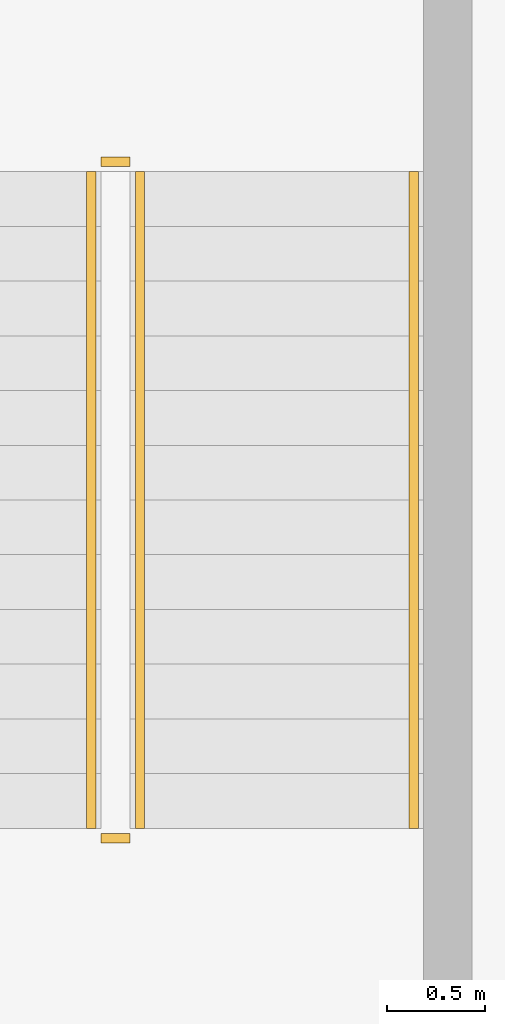
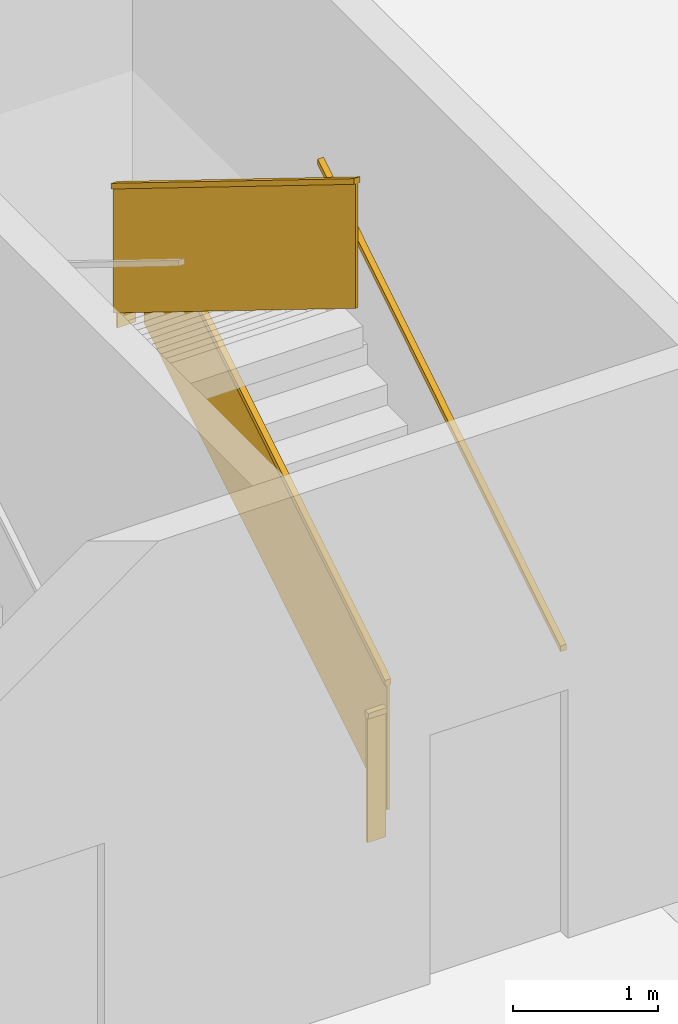
# One storey, part 16 of 19: 5 railings.
"""IFC4 building model written with IfcOpenShell, lengths in metres."""

from ifc_helpers import new_model, si_unit, direction, frame, origin, origin_2d, place, context, subcontext, project, spatial, rectangle, extrude, material, type_object, element, save


model = new_model("IFC4")

# Units and contexts
model_context = context("Model", 3, precision=1e-05, world=origin(), true_north=direction((0.0, 1.0)))
body_context = subcontext(model_context, "Body", "Model", "MODEL_VIEW")
ifc_project = project(units=[si_unit("LENGTHUNIT", "METRE"), si_unit("AREAUNIT", "SQUARE_METRE"), si_unit("VOLUMEUNIT", "CUBIC_METRE"), si_unit("PLANEANGLEUNIT", "RADIAN"), si_unit("MASSUNIT", "GRAM", prefix="KILO")], contexts=[model_context])

# Site, building, storey
site_placement = place(None, origin())
site = spatial("IfcSite", under=ifc_project, at=site_placement, CompositionType="ELEMENT")
building_placement = place(site_placement, origin())
building = spatial("IfcBuilding", under=site, at=building_placement, Name="Mirante Cascada Hotel Towers", CompositionType="ELEMENT")
storey_placement = place(building_placement, frame((0.0, 0.0, -9.0)))
storey = spatial("IfcBuildingStorey", under=building, at=storey_placement, Name="B2", CompositionType="ELEMENT", Elevation=-9.0)

# Railings
ifc_material_1 = material(Name="Painted steel", Category="steel")
railing_type_1 = type_object("IfcRailingType", Name="Podium stair guard 1100 steel balustrade", PredefinedType="GUARDRAIL", material=ifc_material_1)
railing_1_placement = place(storey_placement, frame((-20.375, -15.775, 0.1731)))
element("IfcRailing", 1, at=railing_1_placement, inside=storey, type_object=railing_type_1, Name="B2 PS1 stair guard 1", PredefinedType="GUARDRAIL", context=body_context, shape_type="SweptSolid", body=[
    extrude(rectangle(XDim=0.048, YDim=0.048, at=origin_2d()), frame((0.0, 0.0, 1.076), z_axis=(0.0, 1.0, 0.0), x_axis=(-1.0, 0.0, 0.0)), (0.0, 0.5257871, 0.8506162), 3.9501),
    extrude(rectangle(XDim=0.02, YDim=1.052, at=origin_2d()), frame((0.0, 0.0, 0.526), z_axis=(0.0, 1.0, 0.0), x_axis=(-1.0, 0.0, 0.0)), (0.0, 0.5257871, 0.8506162), 3.9501),
])
railing_2_placement = place(storey_placement, frame((-20.425, -12.365, 2.25)))
element("IfcRailing", 2, at=railing_2_placement, inside=storey, type_object=railing_type_1, Name="B2 PS1 stair guard 2", PredefinedType="GUARDRAIL", context=body_context, shape_type="SweptSolid", body=[
    extrude(rectangle(XDim=0.048, YDim=0.048, at=origin_2d()), frame((0.0, 0.0, 1.076), z_axis=(-1.0, 0.0, 0.0), x_axis=(0.0, -1.0, 0.0)), (0.0, 0.0, 1.0), 0.15),
    extrude(rectangle(XDim=0.02, YDim=1.052, at=origin_2d()), frame((0.0, 0.0, 0.526), z_axis=(-1.0, 0.0, 0.0), x_axis=(0.0, -1.0, 0.0)), (0.0, 0.0, 1.0), 0.15),
])
railing_3_placement = place(storey_placement, frame((-20.625, -12.415, 2.4231)))
element("IfcRailing", 3, at=railing_3_placement, inside=storey, type_object=railing_type_1, Name="B2 PS1 stair guard 3", PredefinedType="GUARDRAIL", context=body_context, shape_type="SweptSolid", body=[
    extrude(rectangle(XDim=0.048, YDim=0.048, at=origin_2d()), frame((0.0, 0.0, 1.076), z_axis=(0.0, -1.0, 0.0), x_axis=(1.0, 0.0, 0.0)), (0.0, 0.5257871, 0.8506162), 3.9501),
    extrude(rectangle(XDim=0.02, YDim=1.052, at=origin_2d()), frame((0.0, 0.0, 0.526), z_axis=(0.0, -1.0, 0.0), x_axis=(1.0, 0.0, 0.0)), (0.0, 0.5257871, 0.8506162), 3.9501),
])
railing_4_placement = place(storey_placement, frame((-20.425, -15.825, 0.0)))
element("IfcRailing", 4, at=railing_4_placement, inside=storey, type_object=railing_type_1, Name="B2 PS1 stair guard 4", PredefinedType="GUARDRAIL", context=body_context, shape_type="SweptSolid", body=[
    extrude(rectangle(XDim=0.048, YDim=0.048, at=origin_2d()), frame((0.0, 0.0, 1.076), z_axis=(-1.0, 0.0, 0.0), x_axis=(0.0, -1.0, 0.0)), (0.0, 0.0, 1.0), 0.15),
    extrude(rectangle(XDim=0.02, YDim=1.052, at=origin_2d()), frame((0.0, 0.0, 0.526), z_axis=(-1.0, 0.0, 0.0), x_axis=(0.0, -1.0, 0.0)), (0.0, 0.0, 1.0), 0.15),
])
ifc_material_2 = material(Name="Painted steel", Category="steel")
railing_type_2 = type_object("IfcRailingType", Name="Podium stair handrail 900 steel tube", PredefinedType="HANDRAIL", material=ifc_material_2)
railing_5_placement = place(storey_placement, frame((-18.975, -15.775, 0.1731)))
element("IfcRailing", 5, at=railing_5_placement, inside=storey, type_object=railing_type_2, Name="B2 PS1 stair handrail 1", PredefinedType="HANDRAIL", context=body_context, shape_type="SweptSolid", body=[
    extrude(rectangle(XDim=0.048, YDim=0.048, at=origin_2d()), frame((0.0, 0.0, 0.876), z_axis=(0.0, 1.0, 0.0), x_axis=(-1.0, 0.0, 0.0)), (0.0, 0.5257871, 0.8506162), 3.9501),
])

save(model, "model.ifc")
